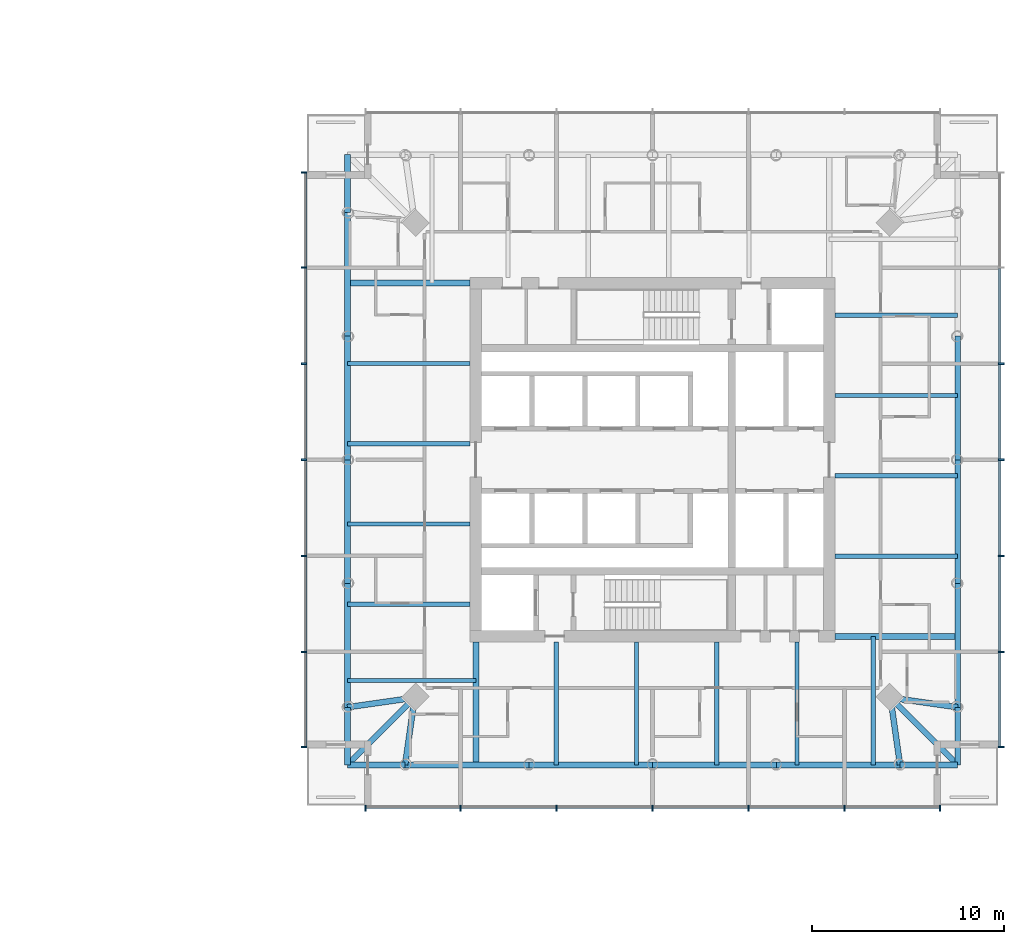
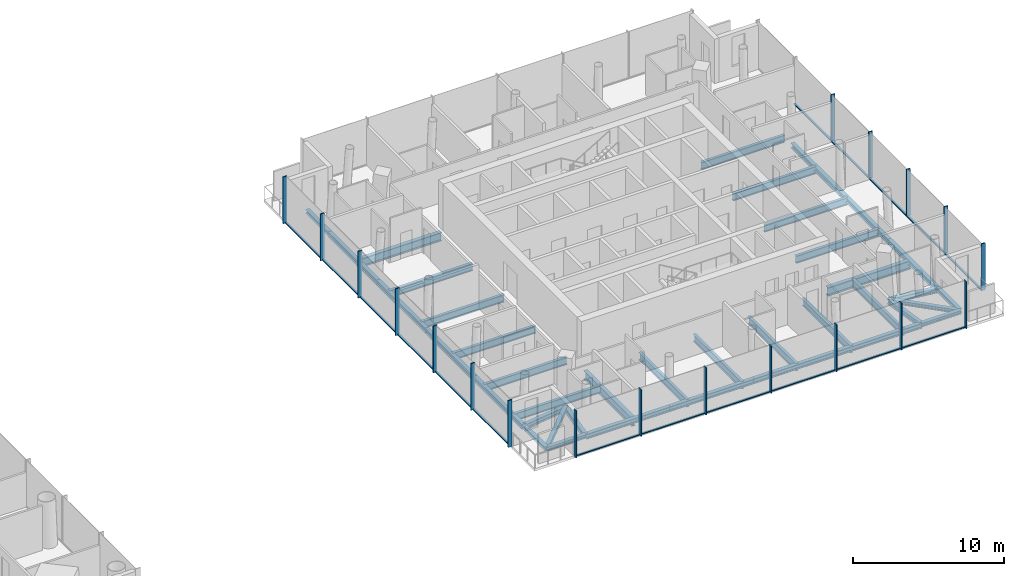
# One storey, part 4 of 18: 39 beams, 36 members, 3 elements without a shape of their own.
"""IFC4 building model written with IfcOpenShell, lengths in metres."""

from ifc_helpers import new_model, si_unit, direction, frame, origin, origin_2d, place, context, subcontext, project, spatial, rectangle, i_section, extrude, material, material_profile, profile_set, type_object, element, aggregate, save


model = new_model("IFC4")

# Units and contexts
model_context = context("Model", 3, precision=1e-05, world=origin(), true_north=direction((0.0, 1.0)))
body_context = subcontext(model_context, "Body", "Model", "MODEL_VIEW")
ifc_project = project(units=[si_unit("LENGTHUNIT", "METRE"), si_unit("AREAUNIT", "SQUARE_METRE"), si_unit("VOLUMEUNIT", "CUBIC_METRE"), si_unit("PLANEANGLEUNIT", "RADIAN"), si_unit("MASSUNIT", "GRAM", prefix="KILO")], contexts=[model_context])

# Site, building, storey
site_placement = place(None, origin())
site = spatial("IfcSite", under=ifc_project, at=site_placement, CompositionType="ELEMENT")
building_placement = place(site_placement, origin())
building = spatial("IfcBuilding", under=site, at=building_placement, Name="Ostroluk Exchange", CompositionType="ELEMENT")
storey_placement = place(building_placement, frame((0.0, 0.0, 93.199951171875)))
storey = spatial("IfcBuildingStorey", under=building, at=storey_placement, Name="L23", CompositionType="ELEMENT", Elevation=93.199951171875)

# Beams
ifc_material_1 = material(Name="Steel S355", Category="steel")
ifc_material_profile_1 = material_profile(ifc_material_1, i_section(OverallWidth=0.300048828125, OverallDepth=0.300048828125, WebThickness=0.010986328125, FlangeThickness=0.01904296875, FilletRadius=0.027099609375, at=origin_2d()), Name="HEB 300")
ifc_profile_set_1 = profile_set([ifc_material_profile_1], Name="Steel S355")
beam_type_1 = type_object("IfcBeamType", Name="Balcony beam HEB 300", PredefinedType="BEAM", material=ifc_profile_set_1)
for number, where, z_axis, x_axis, name in (
    (1, (101.112060546875, 58.887939453125, -0.349853515625), (0.0, 1.0, 0.0), (-1.0, 0.0, 0.0), "T2 north balcony beam b"),
    (2, (101.112060546875, 33.112060546875, -0.349853515625), (0.0, -1.0, 0.0), (1.0, 0.0, 0.0), "T2 west balcony beam a"),
    (3, (104.112060546875, 30.112060546875, -0.349853515625), (-1.0, 0.0, 0.0), (0.0, -1.0, 0.0), "T2 west balcony beam b"),
):
    element("IfcBeam", number, at=place(storey_placement, frame(where, z_axis=z_axis, x_axis=x_axis)), inside=storey, type_object=beam_type_1, Name=name, PredefinedType="BEAM", context=body_context, shape_type="SweptSolid", body=[
        extrude(i_section(OverallWidth=0.300048828125, OverallDepth=0.300048828125, WebThickness=0.010986328125, FlangeThickness=0.01904296875, FilletRadius=0.027099609375, at=origin_2d()), origin(), (0.0, 0.0, 1.0), 3.0),
    ])
beam_1_placement = place(storey_placement, frame((104.612060546875, 33.612060546875, -0.349853515625), z_axis=(-0.707106781187, -0.707106781187, 0.0), x_axis=(0.707106781187, -0.707106781187, 0.0)))
element("IfcBeam", 4, at=beam_1_placement, inside=storey, type_object=beam_type_1, Name="T2 west balcony beam c", PredefinedType="BEAM", context=body_context, shape_type="SweptSolid", body=[
    extrude(i_section(OverallWidth=0.300048828125, OverallDepth=0.300048828125, WebThickness=0.010986328125, FlangeThickness=0.01904296875, FilletRadius=0.027099609375, at=origin_2d()), origin(), (0.0, 0.0, 1.0), 4.94970703125),
])
for number, where, z_axis, x_axis, name in (
    (5, (129.887939453125, 30.112060546875, -0.349853515625), (1.0, 0.0, 0.0), (0.0, 1.0, 0.0), "T2 south balcony beam a"),
    (6, (132.887939453125, 33.112060546875, -0.349853515625), (0.0, -1.0, 0.0), (1.0, 0.0, 0.0), "T2 south balcony beam b"),
):
    element("IfcBeam", number, at=place(storey_placement, frame(where, z_axis=z_axis, x_axis=x_axis)), inside=storey, type_object=beam_type_1, Name=name, PredefinedType="BEAM", context=body_context, shape_type="SweptSolid", body=[
        extrude(i_section(OverallWidth=0.300048828125, OverallDepth=0.300048828125, WebThickness=0.010986328125, FlangeThickness=0.01904296875, FilletRadius=0.027099609375, at=origin_2d()), origin(), (0.0, 0.0, 1.0), 3.0),
    ])
beam_2_placement = place(storey_placement, frame((129.387939453125, 33.612060546875, -0.349853515625), z_axis=(0.707106781187, -0.707106781187, 0.0), x_axis=(0.707106781187, 0.707106781187, 0.0)))
element("IfcBeam", 7, at=beam_2_placement, inside=storey, type_object=beam_type_1, Name="T2 south balcony beam c", PredefinedType="BEAM", context=body_context, shape_type="SweptSolid", body=[
    extrude(i_section(OverallWidth=0.300048828125, OverallDepth=0.300048828125, WebThickness=0.010986328125, FlangeThickness=0.01904296875, FilletRadius=0.027099609375, at=origin_2d()), origin(), (0.0, 0.0, 1.0), 4.94970703125),
])
ifc_material_2 = material(Name="Steel S355", Category="steel")
ifc_material_profile_2 = material_profile(ifc_material_2, i_section(OverallWidth=0.300048828125, OverallDepth=0.39990234375, WebThickness=0.013427734375, FlangeThickness=0.02392578125, FilletRadius=0.027099609375, at=origin_2d()), Name="HEB 400")
ifc_profile_set_2 = profile_set([ifc_material_profile_2], Name="Steel S355")
beam_type_2 = type_object("IfcBeamType", Name="Corner edge beam HEB 400", PredefinedType="SPANDREL", material=ifc_profile_set_2)
for number, where, z_axis, x_axis, name in (
    (8, (104.612060546875, 33.612060546875, -0.39990234375), (-0.989949493661, -0.141421356237, 0.0), (0.141421356237, -0.989949493661, 0.0), "T2 west corner edge beam a"),
    (9, (104.612060546875, 33.612060546875, -0.39990234375), (-0.141421356237, -0.989949493661, 0.0), (0.989949493661, -0.141421356237, 0.0), "T2 west corner edge beam b"),
    (10, (129.387939453125, 33.612060546875, -0.39990234375), (0.141421356237, -0.989949493661, 0.0), (0.989949493661, 0.141421356237, 0.0), "T2 south corner edge beam a"),
    (11, (129.387939453125, 33.612060546875, -0.39990234375), (0.989949493661, -0.141421356237, 0.0), (0.141421356237, 0.989949493661, 0.0), "T2 south corner edge beam b"),
):
    element("IfcBeam", number, at=place(storey_placement, frame(where, z_axis=z_axis, x_axis=x_axis)), inside=storey, type_object=beam_type_2, Name=name, PredefinedType="SPANDREL", context=body_context, shape_type="SweptSolid", body=[
        extrude(i_section(OverallWidth=0.300048828125, OverallDepth=0.39990234375, WebThickness=0.013427734375, FlangeThickness=0.02392578125, FilletRadius=0.027099609375, at=origin_2d()), origin(), (0.0, 0.0, 1.0), 3.53564453125),
    ])
ifc_material_3 = material(Name="Steel S355", Category="steel")
ifc_material_profile_3 = material_profile(ifc_material_3, i_section(OverallWidth=0.219970703125, OverallDepth=0.60009765625, WebThickness=0.011962890625, FlangeThickness=0.01904296875, FilletRadius=0.02392578125, at=origin_2d()), Name="IPE 600")
ifc_profile_set_3 = profile_set([ifc_material_profile_3], Name="Steel S355")
beam_type_3 = type_object("IfcBeamType", Name="Floor beam IPE 600", PredefinedType="BEAM", material=ifc_profile_set_3)
for number, where, z_axis, x_axis, name in (
    (12, (126.5, 40.981201171875, -0.5), (1.0, 0.0, 0.0), (0.0, 1.0, 0.0), "T2 east floor beam 1"),
    (13, (126.5, 45.16259765625, -0.5), (1.0, 0.0, 0.0), (0.0, 1.0, 0.0), "T2 east floor beam 2"),
    (14, (126.5, 49.343994140625, -0.5), (1.0, 0.0, 0.0), (0.0, 1.0, 0.0), "T2 east floor beam 3"),
    (15, (126.5, 53.525390625, -0.5), (1.0, 0.0, 0.0), (0.0, 1.0, 0.0), "T2 east floor beam 4"),
    (16, (107.5, 51.018798828125, -0.5), (-1.0, 0.0, 0.0), (0.0, -1.0, 0.0), "T2 west floor beam 1"),
    (17, (107.5, 46.83740234375, -0.5), (-1.0, 0.0, 0.0), (0.0, -1.0, 0.0), "T2 west floor beam 2"),
    (18, (107.5, 42.656005859375, -0.5), (-1.0, 0.0, 0.0), (0.0, -1.0, 0.0), "T2 west floor beam 3"),
    (19, (107.5, 38.474609375, -0.5), (-1.0, 0.0, 0.0), (0.0, -1.0, 0.0), "T2 west floor beam 4"),
):
    element("IfcBeam", number, at=place(storey_placement, frame(where, z_axis=z_axis, x_axis=x_axis)), inside=storey, type_object=beam_type_3, Name=name, PredefinedType="BEAM", context=body_context, shape_type="SweptSolid", body=[
        extrude(i_section(OverallWidth=0.219970703125, OverallDepth=0.60009765625, WebThickness=0.011962890625, FlangeThickness=0.01904296875, FilletRadius=0.02392578125, at=origin_2d()), origin(), (0.0, 0.0, 1.0), 6.387939453125),
    ])
beam_3_placement = place(storey_placement, frame((107.800048828125, 34.511962890625, -0.5), z_axis=(-1.0, 0.0, 0.0), x_axis=(0.0, -1.0, 0.0)))
element("IfcBeam", 20, at=beam_3_placement, inside=storey, type_object=beam_type_3, Name="T2 west floor beam 5", PredefinedType="BEAM", context=body_context, shape_type="SweptSolid", body=[
    extrude(i_section(OverallWidth=0.219970703125, OverallDepth=0.60009765625, WebThickness=0.011962890625, FlangeThickness=0.01904296875, FilletRadius=0.02392578125, at=origin_2d()), origin(), (0.0, 0.0, 1.0), 6.68798828125),
])
for number, where, z_axis, x_axis, name in (
    (21, (111.981201171875, 36.5, -0.5), (0.0, -1.0, 0.0), (1.0, 0.0, 0.0), "T2 south floor beam 1"),
    (22, (116.16259765625, 36.5, -0.5), (0.0, -1.0, 0.0), (1.0, 0.0, 0.0), "T2 south floor beam 2"),
    (23, (120.343994140625, 36.5, -0.5), (0.0, -1.0, 0.0), (1.0, 0.0, 0.0), "T2 south floor beam 3"),
    (24, (124.525390625, 36.5, -0.5), (0.0, -1.0, 0.0), (1.0, 0.0, 0.0), "T2 south floor beam 4"),
):
    element("IfcBeam", number, at=place(storey_placement, frame(where, z_axis=z_axis, x_axis=x_axis)), inside=storey, type_object=beam_type_3, Name=name, PredefinedType="BEAM", context=body_context, shape_type="SweptSolid", body=[
        extrude(i_section(OverallWidth=0.219970703125, OverallDepth=0.60009765625, WebThickness=0.011962890625, FlangeThickness=0.01904296875, FilletRadius=0.02392578125, at=origin_2d()), origin(), (0.0, 0.0, 1.0), 6.387939453125),
    ])
beam_4_placement = place(storey_placement, frame((128.488037109375, 36.800048828125, -0.5), z_axis=(0.0, -1.0, 0.0), x_axis=(1.0, 0.0, 0.0)))
element("IfcBeam", 25, at=beam_4_placement, inside=storey, type_object=beam_type_3, Name="T2 south floor beam 5", PredefinedType="BEAM", context=body_context, shape_type="SweptSolid", body=[
    extrude(i_section(OverallWidth=0.219970703125, OverallDepth=0.60009765625, WebThickness=0.011962890625, FlangeThickness=0.01904296875, FilletRadius=0.02392578125, at=origin_2d()), origin(), (0.0, 0.0, 1.0), 6.68798828125),
])
ifc_material_4 = material(Name="Steel S355", Category="steel")
ifc_material_profile_4 = material_profile(ifc_material_4, i_section(OverallWidth=0.300048828125, OverallDepth=0.699951171875, WebThickness=0.01708984375, FlangeThickness=0.031982421875, FilletRadius=0.027099609375, at=origin_2d()), Name="HEB 700")
ifc_profile_set_4 = profile_set([ifc_material_profile_4], Name="Steel S355")
beam_type_4 = type_object("IfcBeamType", Name="Girder HEB 700", PredefinedType="BEAM", material=ifc_profile_set_4)
for number, where, z_axis, x_axis, name in (
    (26, (107.5, 55.199951171875, -0.550048828125), (-1.0, 0.0, 0.0), (0.0, -1.0, 0.0), "T2 north girder"),
    (27, (107.800048828125, 36.5, -0.550048828125), (0.0, -1.0, 0.0), (1.0, 0.0, 0.0), "T2 west girder"),
    (28, (126.5, 36.800048828125, -0.550048828125), (1.0, 0.0, 0.0), (0.0, 1.0, 0.0), "T2 south girder"),
):
    element("IfcBeam", number, at=place(storey_placement, frame(where, z_axis=z_axis, x_axis=x_axis)), inside=storey, type_object=beam_type_4, Name=name, PredefinedType="BEAM", context=body_context, shape_type="SweptSolid", body=[
        extrude(i_section(OverallWidth=0.300048828125, OverallDepth=0.699951171875, WebThickness=0.01708984375, FlangeThickness=0.031982421875, FilletRadius=0.027099609375, at=origin_2d()), origin(), (0.0, 0.0, 1.0), 6.387939453125),
    ])
ifc_material_5 = material(Name="Steel S355", Category="steel")
ifc_material_profile_5 = material_profile(ifc_material_5, i_section(OverallWidth=0.300048828125, OverallDepth=0.39990234375, WebThickness=0.013427734375, FlangeThickness=0.02392578125, FilletRadius=0.027099609375, at=origin_2d()), Name="HEB 400")
ifc_profile_set_5 = profile_set([ifc_material_profile_5], Name="Steel S355")
beam_type_5 = type_object("IfcBeamType", Name="Moment-connected edge beam HEB 400", PredefinedType="SPANDREL", material=ifc_profile_set_5)
beam_5_placement = place(storey_placement, frame((132.887939453125, 33.112060546875, -0.39990234375), z_axis=(0.0, 1.0, 0.0), x_axis=(-1.0, 0.0, 0.0)))
element("IfcBeam", 29, at=beam_5_placement, inside=storey, type_object=beam_type_5, Name="T2 east edge beam 1", PredefinedType="SPANDREL", context=body_context, shape_type="SweptSolid", body=[
    extrude(i_section(OverallWidth=0.300048828125, OverallDepth=0.39990234375, WebThickness=0.013427734375, FlangeThickness=0.02392578125, FilletRadius=0.027099609375, at=origin_2d()), origin(), (0.0, 0.0, 1.0), 6.444091796875),
])
for number, where, z_axis, x_axis, name in (
    (30, (132.887939453125, 39.55615234375, -0.39990234375), (0.0, 1.0, 0.0), (-1.0, 0.0, 0.0), "T2 east edge beam 2"),
    (31, (132.887939453125, 46.0, -0.39990234375), (0.0, 1.0, 0.0), (-1.0, 0.0, 0.0), "T2 east edge beam 3"),
):
    element("IfcBeam", number, at=place(storey_placement, frame(where, z_axis=z_axis, x_axis=x_axis)), inside=storey, type_object=beam_type_5, Name=name, PredefinedType="SPANDREL", context=body_context, shape_type="SweptSolid", body=[
        extrude(i_section(OverallWidth=0.300048828125, OverallDepth=0.39990234375, WebThickness=0.013427734375, FlangeThickness=0.02392578125, FilletRadius=0.027099609375, at=origin_2d()), origin(), (0.0, 0.0, 1.0), 6.44384765625),
    ])
beam_6_placement = place(storey_placement, frame((101.112060546875, 58.887939453125, -0.39990234375), z_axis=(0.0, -1.0, 0.0), x_axis=(1.0, 0.0, 0.0)))
element("IfcBeam", 32, at=beam_6_placement, inside=storey, type_object=beam_type_5, Name="T2 west edge beam 1", PredefinedType="SPANDREL", context=body_context, shape_type="SweptSolid", body=[
    extrude(i_section(OverallWidth=0.300048828125, OverallDepth=0.39990234375, WebThickness=0.013427734375, FlangeThickness=0.02392578125, FilletRadius=0.027099609375, at=origin_2d()), origin(), (0.0, 0.0, 1.0), 6.444091796875),
])
for number, where, z_axis, x_axis, name in (
    (33, (101.112060546875, 52.44384765625, -0.39990234375), (0.0, -1.0, 0.0), (1.0, 0.0, 0.0), "T2 west edge beam 2"),
    (34, (101.112060546875, 46.0, -0.39990234375), (0.0, -1.0, 0.0), (1.0, 0.0, 0.0), "T2 west edge beam 3"),
):
    element("IfcBeam", number, at=place(storey_placement, frame(where, z_axis=z_axis, x_axis=x_axis)), inside=storey, type_object=beam_type_5, Name=name, PredefinedType="SPANDREL", context=body_context, shape_type="SweptSolid", body=[
        extrude(i_section(OverallWidth=0.300048828125, OverallDepth=0.39990234375, WebThickness=0.013427734375, FlangeThickness=0.02392578125, FilletRadius=0.027099609375, at=origin_2d()), origin(), (0.0, 0.0, 1.0), 6.44384765625),
    ])
for number, where, z_axis, x_axis, name in (
    (35, (101.112060546875, 39.55615234375, -0.39990234375), (0.0, -1.0, 0.0), (1.0, 0.0, 0.0), "T2 west edge beam 4"),
    (36, (104.112060546875, 30.112060546875, -0.39990234375), (1.0, 0.0, 0.0), (0.0, 1.0, 0.0), "T2 south edge beam 1"),
):
    element("IfcBeam", number, at=place(storey_placement, frame(where, z_axis=z_axis, x_axis=x_axis)), inside=storey, type_object=beam_type_5, Name=name, PredefinedType="SPANDREL", context=body_context, shape_type="SweptSolid", body=[
        extrude(i_section(OverallWidth=0.300048828125, OverallDepth=0.39990234375, WebThickness=0.013427734375, FlangeThickness=0.02392578125, FilletRadius=0.027099609375, at=origin_2d()), origin(), (0.0, 0.0, 1.0), 6.444091796875),
    ])
for number, where, z_axis, x_axis, name in (
    (37, (110.55615234375, 30.112060546875, -0.39990234375), (1.0, 0.0, 0.0), (0.0, 1.0, 0.0), "T2 south edge beam 2"),
    (38, (117.0, 30.112060546875, -0.39990234375), (1.0, 0.0, 0.0), (0.0, 1.0, 0.0), "T2 south edge beam 3"),
):
    element("IfcBeam", number, at=place(storey_placement, frame(where, z_axis=z_axis, x_axis=x_axis)), inside=storey, type_object=beam_type_5, Name=name, PredefinedType="SPANDREL", context=body_context, shape_type="SweptSolid", body=[
        extrude(i_section(OverallWidth=0.300048828125, OverallDepth=0.39990234375, WebThickness=0.013427734375, FlangeThickness=0.02392578125, FilletRadius=0.027099609375, at=origin_2d()), origin(), (0.0, 0.0, 1.0), 6.44384765625),
    ])
beam_7_placement = place(storey_placement, frame((123.44384765625, 30.112060546875, -0.39990234375), z_axis=(1.0, 0.0, 0.0), x_axis=(0.0, 1.0, 0.0)))
element("IfcBeam", 39, at=beam_7_placement, inside=storey, type_object=beam_type_5, Name="T2 south edge beam 4", PredefinedType="SPANDREL", context=body_context, shape_type="SweptSolid", body=[
    extrude(i_section(OverallWidth=0.300048828125, OverallDepth=0.39990234375, WebThickness=0.013427734375, FlangeThickness=0.02392578125, FilletRadius=0.027099609375, at=origin_2d()), origin(), (0.0, 0.0, 1.0), 6.444091796875),
])

# Curtain wall, members
ifc_material_6 = material(Name="Laminated clear glass", Category="glass")
curtain_wall_type = type_object("IfcCurtainWallType", Name="Hotel guest floor facade", PredefinedType="USERDEFINED", material=ifc_material_6)
curtain_wall_1_placement = place(storey_placement, origin())
curtain_wall_1 = element("IfcCurtainWall", 40, at=curtain_wall_1_placement, inside=storey, type_object=curtain_wall_type, Name="Hotel tower south facade L23", ObjectType="UNITISED CURTAIN WALL", PredefinedType="USERDEFINED")
ifc_material_7 = material(Name="Aluminium mullion", Category="aluminium")
ifc_material_profile_6 = material_profile(ifc_material_7, rectangle(XDim=0.14990234375, YDim=0.080078125, at=origin_2d()), Name="Sill transom 80 x 150")
ifc_profile_set_6 = profile_set([ifc_material_profile_6], Name="Aluminium mullion")
member_type_1 = type_object("IfcMemberType", Name="Sill transom 80 x 150", PredefinedType="USERDEFINED", material=ifc_profile_set_6)
member_1_placement = place(storey_placement, frame((102.080078125, 27.925048828125, 0.0400390625), z_axis=(1.0, 0.0, 0.0), x_axis=(0.0, 1.0, 0.0)))
member_1 = element("IfcMember", 41, at=member_1_placement, type_object=member_type_1, Name="CW-H1 transom 1.1", ObjectType="TRANSOM", PredefinedType="USERDEFINED", context=body_context, shape_type="SweptSolid", body=[
    extrude(rectangle(XDim=0.14990234375, YDim=0.080078125, at=origin_2d()), origin(), (0.0, 0.0, 1.0), 4.8798828125),
])
member_2_placement = place(storey_placement, frame((107.0400390625, 27.925048828125, 0.0400390625), z_axis=(1.0, 0.0, 0.0), x_axis=(0.0, 1.0, 0.0)))
member_2 = element("IfcMember", 42, at=member_2_placement, type_object=member_type_1, Name="CW-H1 transom 2.1", ObjectType="TRANSOM", PredefinedType="USERDEFINED", context=body_context, shape_type="SweptSolid", body=[
    extrude(rectangle(XDim=0.14990234375, YDim=0.080078125, at=origin_2d()), origin(), (0.0, 0.0, 1.0), 4.919921875),
])
member_3_placement = place(storey_placement, frame((112.0400390625, 27.925048828125, 0.0400390625), z_axis=(1.0, 0.0, 0.0), x_axis=(0.0, 1.0, 0.0)))
member_3 = element("IfcMember", 43, at=member_3_placement, type_object=member_type_1, Name="CW-H1 transom 3.1", ObjectType="TRANSOM", PredefinedType="USERDEFINED", context=body_context, shape_type="SweptSolid", body=[
    extrude(rectangle(XDim=0.14990234375, YDim=0.080078125, at=origin_2d()), origin(), (0.0, 0.0, 1.0), 4.919921875),
])
member_4_placement = place(storey_placement, frame((117.0400390625, 27.925048828125, 0.0400390625), z_axis=(1.0, 0.0, 0.0), x_axis=(0.0, 1.0, 0.0)))
member_4 = element("IfcMember", 44, at=member_4_placement, type_object=member_type_1, Name="CW-H1 transom 4.1", ObjectType="TRANSOM", PredefinedType="USERDEFINED", context=body_context, shape_type="SweptSolid", body=[
    extrude(rectangle(XDim=0.14990234375, YDim=0.080078125, at=origin_2d()), origin(), (0.0, 0.0, 1.0), 4.919921875),
])
member_5_placement = place(storey_placement, frame((122.0400390625, 27.925048828125, 0.0400390625), z_axis=(1.0, 0.0, 0.0), x_axis=(0.0, 1.0, 0.0)))
member_5 = element("IfcMember", 45, at=member_5_placement, type_object=member_type_1, Name="CW-H1 transom 5.1", ObjectType="TRANSOM", PredefinedType="USERDEFINED", context=body_context, shape_type="SweptSolid", body=[
    extrude(rectangle(XDim=0.14990234375, YDim=0.080078125, at=origin_2d()), origin(), (0.0, 0.0, 1.0), 4.919921875),
])
member_6_placement = place(storey_placement, frame((127.0400390625, 27.925048828125, 0.0400390625), z_axis=(1.0, 0.0, 0.0), x_axis=(0.0, 1.0, 0.0)))
member_6 = element("IfcMember", 46, at=member_6_placement, type_object=member_type_1, Name="CW-H1 transom 6.1", ObjectType="TRANSOM", PredefinedType="USERDEFINED", context=body_context, shape_type="SweptSolid", body=[
    extrude(rectangle(XDim=0.14990234375, YDim=0.080078125, at=origin_2d()), origin(), (0.0, 0.0, 1.0), 4.8798828125),
])

curtain_wall_2_placement = place(storey_placement, origin())
curtain_wall_2 = element("IfcCurtainWall", 47, at=curtain_wall_2_placement, inside=storey, type_object=curtain_wall_type, Name="Hotel tower east facade L23", ObjectType="UNITISED CURTAIN WALL", PredefinedType="USERDEFINED")
member_7_placement = place(storey_placement, frame((135.074951171875, 31.080078125, 0.0400390625), z_axis=(0.0, 1.0, 0.0), x_axis=(-1.0, 0.0, 0.0)))
member_7 = element("IfcMember", 48, at=member_7_placement, type_object=member_type_1, Name="CW-H1 transom 1.1", ObjectType="TRANSOM", PredefinedType="USERDEFINED", context=body_context, shape_type="SweptSolid", body=[
    extrude(rectangle(XDim=0.14990234375, YDim=0.080078125, at=origin_2d()), origin(), (0.0, 0.0, 1.0), 4.8798828125),
])
member_8_placement = place(storey_placement, frame((135.074951171875, 36.0400390625, 0.0400390625), z_axis=(0.0, 1.0, 0.0), x_axis=(-1.0, 0.0, 0.0)))
member_8 = element("IfcMember", 49, at=member_8_placement, type_object=member_type_1, Name="CW-H1 transom 2.1", ObjectType="TRANSOM", PredefinedType="USERDEFINED", context=body_context, shape_type="SweptSolid", body=[
    extrude(rectangle(XDim=0.14990234375, YDim=0.080078125, at=origin_2d()), origin(), (0.0, 0.0, 1.0), 4.919921875),
])
member_9_placement = place(storey_placement, frame((135.074951171875, 41.0400390625, 0.0400390625), z_axis=(0.0, 1.0, 0.0), x_axis=(-1.0, 0.0, 0.0)))
member_9 = element("IfcMember", 50, at=member_9_placement, type_object=member_type_1, Name="CW-H1 transom 3.1", ObjectType="TRANSOM", PredefinedType="USERDEFINED", context=body_context, shape_type="SweptSolid", body=[
    extrude(rectangle(XDim=0.14990234375, YDim=0.080078125, at=origin_2d()), origin(), (0.0, 0.0, 1.0), 4.919921875),
])
member_10_placement = place(storey_placement, frame((135.074951171875, 46.0400390625, 0.0400390625), z_axis=(0.0, 1.0, 0.0), x_axis=(-1.0, 0.0, 0.0)))
member_10 = element("IfcMember", 51, at=member_10_placement, type_object=member_type_1, Name="CW-H1 transom 4.1", ObjectType="TRANSOM", PredefinedType="USERDEFINED", context=body_context, shape_type="SweptSolid", body=[
    extrude(rectangle(XDim=0.14990234375, YDim=0.080078125, at=origin_2d()), origin(), (0.0, 0.0, 1.0), 4.919921875),
])
member_11_placement = place(storey_placement, frame((135.074951171875, 51.0400390625, 0.0400390625), z_axis=(0.0, 1.0, 0.0), x_axis=(-1.0, 0.0, 0.0)))
member_11 = element("IfcMember", 52, at=member_11_placement, type_object=member_type_1, Name="CW-H1 transom 5.1", ObjectType="TRANSOM", PredefinedType="USERDEFINED", context=body_context, shape_type="SweptSolid", body=[
    extrude(rectangle(XDim=0.14990234375, YDim=0.080078125, at=origin_2d()), origin(), (0.0, 0.0, 1.0), 4.919921875),
])

curtain_wall_3_placement = place(storey_placement, origin())
curtain_wall_3 = element("IfcCurtainWall", 53, at=curtain_wall_3_placement, inside=storey, type_object=curtain_wall_type, Name="Hotel tower west facade L23", ObjectType="UNITISED CURTAIN WALL", PredefinedType="USERDEFINED")
member_12_placement = place(storey_placement, frame((98.925048828125, 60.919921875, 0.0400390625), z_axis=(0.0, -1.0, 0.0), x_axis=(1.0, 0.0, 0.0)))
member_12 = element("IfcMember", 54, at=member_12_placement, type_object=member_type_1, Name="CW-H1 transom 1.1", ObjectType="TRANSOM", PredefinedType="USERDEFINED", context=body_context, shape_type="SweptSolid", body=[
    extrude(rectangle(XDim=0.14990234375, YDim=0.080078125, at=origin_2d()), origin(), (0.0, 0.0, 1.0), 4.8798828125),
])
member_13_placement = place(storey_placement, frame((98.925048828125, 55.9599609375, 0.0400390625), z_axis=(0.0, -1.0, 0.0), x_axis=(1.0, 0.0, 0.0)))
member_13 = element("IfcMember", 55, at=member_13_placement, type_object=member_type_1, Name="CW-H1 transom 2.1", ObjectType="TRANSOM", PredefinedType="USERDEFINED", context=body_context, shape_type="SweptSolid", body=[
    extrude(rectangle(XDim=0.14990234375, YDim=0.080078125, at=origin_2d()), origin(), (0.0, 0.0, 1.0), 4.919921875),
])
member_14_placement = place(storey_placement, frame((98.925048828125, 50.9599609375, 0.0400390625), z_axis=(0.0, -1.0, 0.0), x_axis=(1.0, 0.0, 0.0)))
member_14 = element("IfcMember", 56, at=member_14_placement, type_object=member_type_1, Name="CW-H1 transom 3.1", ObjectType="TRANSOM", PredefinedType="USERDEFINED", context=body_context, shape_type="SweptSolid", body=[
    extrude(rectangle(XDim=0.14990234375, YDim=0.080078125, at=origin_2d()), origin(), (0.0, 0.0, 1.0), 4.919921875),
])
member_15_placement = place(storey_placement, frame((98.925048828125, 45.9599609375, 0.0400390625), z_axis=(0.0, -1.0, 0.0), x_axis=(1.0, 0.0, 0.0)))
member_15 = element("IfcMember", 57, at=member_15_placement, type_object=member_type_1, Name="CW-H1 transom 4.1", ObjectType="TRANSOM", PredefinedType="USERDEFINED", context=body_context, shape_type="SweptSolid", body=[
    extrude(rectangle(XDim=0.14990234375, YDim=0.080078125, at=origin_2d()), origin(), (0.0, 0.0, 1.0), 4.919921875),
])
member_16_placement = place(storey_placement, frame((98.925048828125, 40.9599609375, 0.0400390625), z_axis=(0.0, -1.0, 0.0), x_axis=(1.0, 0.0, 0.0)))
member_16 = element("IfcMember", 58, at=member_16_placement, type_object=member_type_1, Name="CW-H1 transom 5.1", ObjectType="TRANSOM", PredefinedType="USERDEFINED", context=body_context, shape_type="SweptSolid", body=[
    extrude(rectangle(XDim=0.14990234375, YDim=0.080078125, at=origin_2d()), origin(), (0.0, 0.0, 1.0), 4.919921875),
])
member_17_placement = place(storey_placement, frame((98.925048828125, 35.9599609375, 0.0400390625), z_axis=(0.0, -1.0, 0.0), x_axis=(1.0, 0.0, 0.0)))
member_17 = element("IfcMember", 59, at=member_17_placement, type_object=member_type_1, Name="CW-H1 transom 6.1", ObjectType="TRANSOM", PredefinedType="USERDEFINED", context=body_context, shape_type="SweptSolid", body=[
    extrude(rectangle(XDim=0.14990234375, YDim=0.080078125, at=origin_2d()), origin(), (0.0, 0.0, 1.0), 4.8798828125),
])

# Member
ifc_material_8 = material(Name="Aluminium mullion with limestone facing", Category="masonry")
ifc_material_profile_7 = material_profile(ifc_material_8, rectangle(XDim=0.300048828125, YDim=0.080078125, at=origin_2d()), Name="Tracery mullion 80 x 300")
ifc_profile_set_7 = profile_set([ifc_material_profile_7], Name="Aluminium mullion with limestone facing")
member_type_2 = type_object("IfcMemberType", Name="Tracery mullion 80 x 300", PredefinedType="MULLION", material=ifc_profile_set_7)
member_18_placement = place(storey_placement, frame((102.0400390625, 27.85009765625, 0.0), z_axis=(0.0, 0.0, 1.0), x_axis=(0.0, 1.0, 0.0)))
member_18 = element("IfcMember", 60, at=member_18_placement, type_object=member_type_2, Name="CW-H1 mullion 1", PredefinedType="MULLION", context=body_context, shape_type="SweptSolid", body=[
    extrude(rectangle(XDim=0.300048828125, YDim=0.080078125, at=origin_2d()), origin(), (0.0, 0.0, 1.0), 3.800048828125),
])

member_19_placement = place(storey_placement, frame((107.0, 27.85009765625, 0.0), z_axis=(0.0, 0.0, 1.0), x_axis=(0.0, 1.0, 0.0)))
member_19 = element("IfcMember", 61, at=member_19_placement, type_object=member_type_2, Name="CW-H1 mullion 2", PredefinedType="MULLION", context=body_context, shape_type="SweptSolid", body=[
    extrude(rectangle(XDim=0.300048828125, YDim=0.080078125, at=origin_2d()), origin(), (0.0, 0.0, 1.0), 3.800048828125),
])

member_20_placement = place(storey_placement, frame((112.0, 27.85009765625, 0.0), z_axis=(0.0, 0.0, 1.0), x_axis=(0.0, 1.0, 0.0)))
member_20 = element("IfcMember", 62, at=member_20_placement, type_object=member_type_2, Name="CW-H1 mullion 3", PredefinedType="MULLION", context=body_context, shape_type="SweptSolid", body=[
    extrude(rectangle(XDim=0.300048828125, YDim=0.080078125, at=origin_2d()), origin(), (0.0, 0.0, 1.0), 3.800048828125),
])

member_21_placement = place(storey_placement, frame((117.0, 27.85009765625, 0.0), z_axis=(0.0, 0.0, 1.0), x_axis=(0.0, 1.0, 0.0)))
member_21 = element("IfcMember", 63, at=member_21_placement, type_object=member_type_2, Name="CW-H1 mullion 4", PredefinedType="MULLION", context=body_context, shape_type="SweptSolid", body=[
    extrude(rectangle(XDim=0.300048828125, YDim=0.080078125, at=origin_2d()), origin(), (0.0, 0.0, 1.0), 3.800048828125),
])

member_22_placement = place(storey_placement, frame((122.0, 27.85009765625, 0.0), z_axis=(0.0, 0.0, 1.0), x_axis=(0.0, 1.0, 0.0)))
member_22 = element("IfcMember", 64, at=member_22_placement, type_object=member_type_2, Name="CW-H1 mullion 5", PredefinedType="MULLION", context=body_context, shape_type="SweptSolid", body=[
    extrude(rectangle(XDim=0.300048828125, YDim=0.080078125, at=origin_2d()), origin(), (0.0, 0.0, 1.0), 3.800048828125),
])

member_23_placement = place(storey_placement, frame((127.0, 27.85009765625, 0.0), z_axis=(0.0, 0.0, 1.0), x_axis=(0.0, 1.0, 0.0)))
member_23 = element("IfcMember", 65, at=member_23_placement, type_object=member_type_2, Name="CW-H1 mullion 6", PredefinedType="MULLION", context=body_context, shape_type="SweptSolid", body=[
    extrude(rectangle(XDim=0.300048828125, YDim=0.080078125, at=origin_2d()), origin(), (0.0, 0.0, 1.0), 3.800048828125),
])

member_24_placement = place(storey_placement, frame((131.9599609375, 27.85009765625, 0.0), z_axis=(0.0, 0.0, 1.0), x_axis=(0.0, 1.0, 0.0)))
member_24 = element("IfcMember", 66, at=member_24_placement, type_object=member_type_2, Name="CW-H1 mullion 7", PredefinedType="MULLION", context=body_context, shape_type="SweptSolid", body=[
    extrude(rectangle(XDim=0.300048828125, YDim=0.080078125, at=origin_2d()), origin(), (0.0, 0.0, 1.0), 3.800048828125),
])

aggregate(curtain_wall_1, [member_18, member_19, member_20, member_21, member_22, member_23, member_24, member_1, member_2, member_3, member_4, member_5, member_6])

member_25_placement = place(storey_placement, frame((135.14990234375, 31.0400390625, 0.0), z_axis=(0.0, 0.0, 1.0), x_axis=(-1.0, 0.0, 0.0)))
member_25 = element("IfcMember", 67, at=member_25_placement, type_object=member_type_2, Name="CW-H1 mullion 1", PredefinedType="MULLION", context=body_context, shape_type="SweptSolid", body=[
    extrude(rectangle(XDim=0.300048828125, YDim=0.080078125, at=origin_2d()), origin(), (0.0, 0.0, 1.0), 3.800048828125),
])

member_26_placement = place(storey_placement, frame((135.14990234375, 36.0, 0.0), z_axis=(0.0, 0.0, 1.0), x_axis=(-1.0, 0.0, 0.0)))
member_26 = element("IfcMember", 68, at=member_26_placement, type_object=member_type_2, Name="CW-H1 mullion 2", PredefinedType="MULLION", context=body_context, shape_type="SweptSolid", body=[
    extrude(rectangle(XDim=0.300048828125, YDim=0.080078125, at=origin_2d()), origin(), (0.0, 0.0, 1.0), 3.800048828125),
])

member_27_placement = place(storey_placement, frame((135.14990234375, 41.0, 0.0), z_axis=(0.0, 0.0, 1.0), x_axis=(-1.0, 0.0, 0.0)))
member_27 = element("IfcMember", 69, at=member_27_placement, type_object=member_type_2, Name="CW-H1 mullion 3", PredefinedType="MULLION", context=body_context, shape_type="SweptSolid", body=[
    extrude(rectangle(XDim=0.300048828125, YDim=0.080078125, at=origin_2d()), origin(), (0.0, 0.0, 1.0), 3.800048828125),
])

member_28_placement = place(storey_placement, frame((135.14990234375, 46.0, 0.0), z_axis=(0.0, 0.0, 1.0), x_axis=(-1.0, 0.0, 0.0)))
member_28 = element("IfcMember", 70, at=member_28_placement, type_object=member_type_2, Name="CW-H1 mullion 4", PredefinedType="MULLION", context=body_context, shape_type="SweptSolid", body=[
    extrude(rectangle(XDim=0.300048828125, YDim=0.080078125, at=origin_2d()), origin(), (0.0, 0.0, 1.0), 3.800048828125),
])

member_29_placement = place(storey_placement, frame((135.14990234375, 51.0, 0.0), z_axis=(0.0, 0.0, 1.0), x_axis=(-1.0, 0.0, 0.0)))
member_29 = element("IfcMember", 71, at=member_29_placement, type_object=member_type_2, Name="CW-H1 mullion 5", PredefinedType="MULLION", context=body_context, shape_type="SweptSolid", body=[
    extrude(rectangle(XDim=0.300048828125, YDim=0.080078125, at=origin_2d()), origin(), (0.0, 0.0, 1.0), 3.800048828125),
])

aggregate(curtain_wall_2, [member_25, member_26, member_27, member_28, member_29, member_7, member_8, member_9, member_10, member_11])

member_30_placement = place(storey_placement, frame((98.85009765625, 60.9599609375, 0.0), z_axis=(0.0, 0.0, 1.0), x_axis=(1.0, 0.0, 0.0)))
member_30 = element("IfcMember", 72, at=member_30_placement, type_object=member_type_2, Name="CW-H1 mullion 1", PredefinedType="MULLION", context=body_context, shape_type="SweptSolid", body=[
    extrude(rectangle(XDim=0.300048828125, YDim=0.080078125, at=origin_2d()), origin(), (0.0, 0.0, 1.0), 3.800048828125),
])

member_31_placement = place(storey_placement, frame((98.85009765625, 56.0, 0.0), z_axis=(0.0, 0.0, 1.0), x_axis=(1.0, 0.0, 0.0)))
member_31 = element("IfcMember", 73, at=member_31_placement, type_object=member_type_2, Name="CW-H1 mullion 2", PredefinedType="MULLION", context=body_context, shape_type="SweptSolid", body=[
    extrude(rectangle(XDim=0.300048828125, YDim=0.080078125, at=origin_2d()), origin(), (0.0, 0.0, 1.0), 3.800048828125),
])

member_32_placement = place(storey_placement, frame((98.85009765625, 51.0, 0.0), z_axis=(0.0, 0.0, 1.0), x_axis=(1.0, 0.0, 0.0)))
member_32 = element("IfcMember", 74, at=member_32_placement, type_object=member_type_2, Name="CW-H1 mullion 3", PredefinedType="MULLION", context=body_context, shape_type="SweptSolid", body=[
    extrude(rectangle(XDim=0.300048828125, YDim=0.080078125, at=origin_2d()), origin(), (0.0, 0.0, 1.0), 3.800048828125),
])

member_33_placement = place(storey_placement, frame((98.85009765625, 46.0, 0.0), z_axis=(0.0, 0.0, 1.0), x_axis=(1.0, 0.0, 0.0)))
member_33 = element("IfcMember", 75, at=member_33_placement, type_object=member_type_2, Name="CW-H1 mullion 4", PredefinedType="MULLION", context=body_context, shape_type="SweptSolid", body=[
    extrude(rectangle(XDim=0.300048828125, YDim=0.080078125, at=origin_2d()), origin(), (0.0, 0.0, 1.0), 3.800048828125),
])

member_34_placement = place(storey_placement, frame((98.85009765625, 41.0, 0.0), z_axis=(0.0, 0.0, 1.0), x_axis=(1.0, 0.0, 0.0)))
member_34 = element("IfcMember", 76, at=member_34_placement, type_object=member_type_2, Name="CW-H1 mullion 5", PredefinedType="MULLION", context=body_context, shape_type="SweptSolid", body=[
    extrude(rectangle(XDim=0.300048828125, YDim=0.080078125, at=origin_2d()), origin(), (0.0, 0.0, 1.0), 3.800048828125),
])

member_35_placement = place(storey_placement, frame((98.85009765625, 36.0, 0.0), z_axis=(0.0, 0.0, 1.0), x_axis=(1.0, 0.0, 0.0)))
member_35 = element("IfcMember", 77, at=member_35_placement, type_object=member_type_2, Name="CW-H1 mullion 6", PredefinedType="MULLION", context=body_context, shape_type="SweptSolid", body=[
    extrude(rectangle(XDim=0.300048828125, YDim=0.080078125, at=origin_2d()), origin(), (0.0, 0.0, 1.0), 3.800048828125),
])

member_36_placement = place(storey_placement, frame((98.85009765625, 31.0400390625, 0.0), z_axis=(0.0, 0.0, 1.0), x_axis=(1.0, 0.0, 0.0)))
member_36 = element("IfcMember", 78, at=member_36_placement, type_object=member_type_2, Name="CW-H1 mullion 7", PredefinedType="MULLION", context=body_context, shape_type="SweptSolid", body=[
    extrude(rectangle(XDim=0.300048828125, YDim=0.080078125, at=origin_2d()), origin(), (0.0, 0.0, 1.0), 3.800048828125),
])

aggregate(curtain_wall_3, [member_30, member_31, member_32, member_33, member_34, member_35, member_36, member_12, member_13, member_14, member_15, member_16, member_17])

save(model, "model.ifc")
